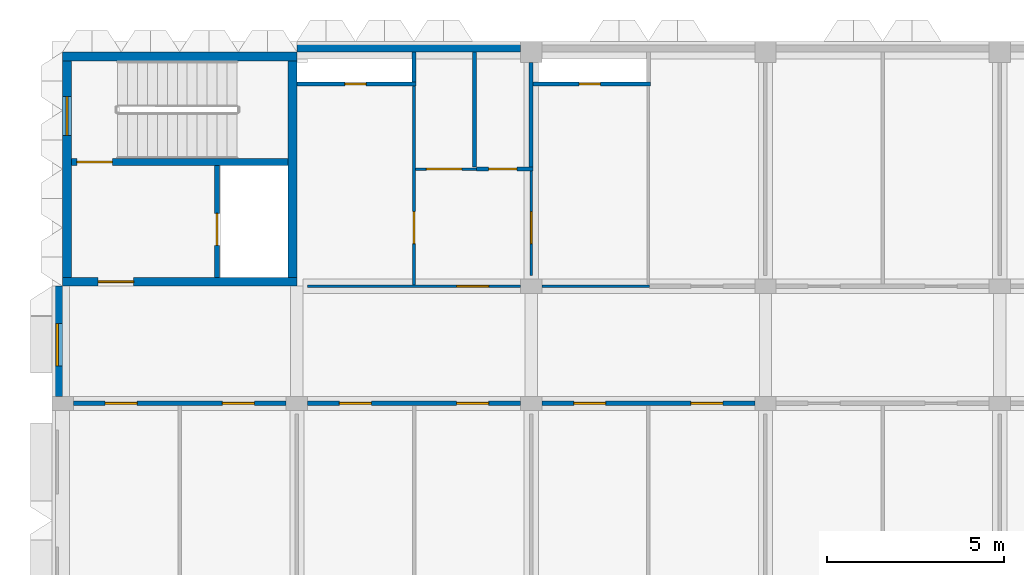
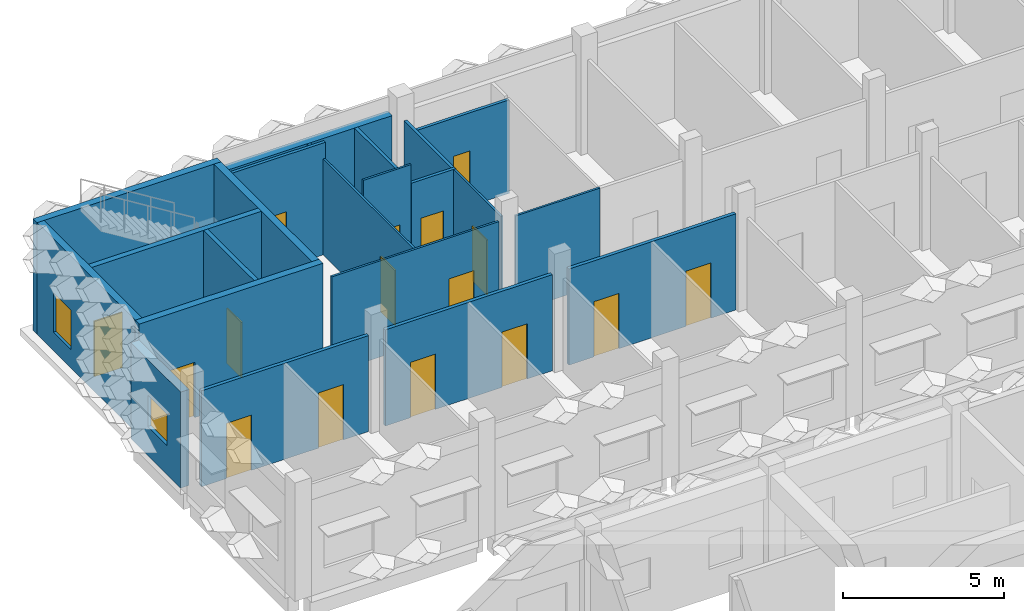
# One storey, part 36 of 87: 22 walls, 16 doors, 2 windows, 18 openings.
"""IFC4 building model written with IfcOpenShell, lengths in metres."""

from ifc_helpers import new_model, si_unit, direction, frame, frame_2d, origin, place, context, subcontext, project, spatial, rectangle, extrude, material, layer, layer_set, type_object, element, fill, save


model = new_model("IFC4")

# Units and contexts
model_context = context("Model", 3, precision=1e-05, world=origin(), true_north=direction((0.0, 1.0)))
body_context = subcontext(model_context, "Body", "Model", "MODEL_VIEW")
ifc_project = project(units=[si_unit("LENGTHUNIT", "METRE"), si_unit("AREAUNIT", "SQUARE_METRE"), si_unit("VOLUMEUNIT", "CUBIC_METRE"), si_unit("PLANEANGLEUNIT", "RADIAN"), si_unit("MASSUNIT", "GRAM", prefix="KILO")], contexts=[model_context])

# Site, building, storey
site_placement = place(None, origin())
site = spatial("IfcSite", under=ifc_project, at=site_placement, CompositionType="ELEMENT")
building_placement = place(site_placement, origin())
building = spatial("IfcBuilding", under=site, at=building_placement, Name="Lantern Court Research Institute", CompositionType="ELEMENT")
storey_placement = place(building_placement, frame((0.0, 0.0, 5.39990234375)))
storey = spatial("IfcBuildingStorey", under=building, at=storey_placement, Name="L01", CompositionType="ELEMENT", Elevation=5.39990234375)

# Wall, opening, window
ifc_material_1 = material(Name="Concrete C30/37", Category="concrete")
ifc_layer_1 = layer(ifc_material_1, 0.300048828125)
ifc_layer_set_1 = layer_set([ifc_layer_1], Name="Concrete C30/37")
wall_type_1 = type_object("IfcWallType", Name="Insulated concrete infill wall 300", PredefinedType="STANDARD", material=ifc_layer_set_1)
wall_1_placement = place(storey_placement, frame((-0.14990234375, 89.300048828125, 0.0), z_axis=(0.0, 0.0, 1.0), x_axis=(0.0, 1.0, 0.0)))
wall_1 = element("IfcWall", 1, at=wall_1_placement, inside=storey, type_object=wall_type_1, Name="Exterior wall EW130", PredefinedType="STANDARD", context=body_context, shape_type="SweptSolid", body=[
    extrude(rectangle(XDim=3.099853515625, YDim=0.300048828125, at=frame_2d((1.5498046875, 0.0))), origin(), (0.0, 0.0, 1.0), 3.650146484375),
])
opening_1_placement = place(wall_1_placement, frame((0.85009765625, 0.0, 1.10009765625)))
opening_1 = element("IfcOpeningElement", 2, at=opening_1_placement, cuts=wall_1, Name="Opening W05", PredefinedType="OPENING", context=body_context, shape_type="SweptSolid", body=[
    extrude(rectangle(XDim=1.199951171875, YDim=1.199951171875, at=frame_2d((0.60009765625, 0.60009765625))), frame((0.0, 0.159912109375, 0.0), z_axis=(0.0, -1.0, 0.0), x_axis=(1.0, 0.0, 0.0)), (0.0, 0.0, 1.0), 0.320068359375),
])
ifc_material_2 = material(Name="Aluminium frame with laminated low-emissivity glazing", Category="aluminium")
window_type_1 = type_object("IfcWindowType", Name="Corridor end window 1200 x 1200", PartitioningType="SINGLE_PANEL", PredefinedType="WINDOW", material=ifc_material_2)
window_1_placement = place(opening_1_placement, origin())
window_1 = element("IfcWindow", 3, at=window_1_placement, inside=storey, type_object=window_type_1, Name="Window W05 V6W L01", OverallHeight=1.199951171875, OverallWidth=1.199951171875, PartitioningType="SINGLE_PANEL", PredefinedType="WINDOW", context=body_context, shape_type="SweptSolid", body=[
    extrude(rectangle(XDim=1.199951171875, YDim=1.199951171875, at=frame_2d((0.60009765625, 0.60009765625))), frame((0.0, 0.030029296875, 0.0), z_axis=(0.0, -1.0, 0.0), x_axis=(1.0, 0.0, 0.0)), (0.0, 0.0, 1.0), 0.06005859375),
])
fill(opening_1, window_1)

# Wall
ifc_material_3 = material(Name="Concrete C30/37", Category="concrete")
ifc_layer_2 = layer(ifc_material_3, 0.300048828125)
ifc_layer_set_2 = layer_set([ifc_layer_2], Name="Concrete C30/37")
wall_type_2 = type_object("IfcWallType", Name="Party wall 300 concrete EI 120", PredefinedType="STANDARD", material=ifc_layer_set_2)
wall_2_placement = place(storey_placement, frame((6.60009765625, 99.14990234375, 0.0), z_axis=(0.0, 0.0, 1.0), x_axis=(1.0, 0.0, 0.0)))
element("IfcWall", 4, at=wall_2_placement, inside=storey, type_object=wall_type_2, Name="Exterior wall EW109", PredefinedType="STANDARD", context=body_context, shape_type="SweptSolid", body=[
    extrude(rectangle(XDim=6.2998046875, YDim=0.300048828125, at=frame_2d((3.14990234375, 0.0))), origin(), (0.0, 0.0, 1.0), 3.650146484375),
])

# Wall, openings, doors
ifc_material_4 = material(Name="Gypsum board on metal studs")
ifc_layer_3 = layer(ifc_material_4, 0.125)
ifc_layer_set_3 = layer_set([ifc_layer_3], Name="Gypsum board on metal studs")
wall_type_3 = type_object("IfcWallType", Name="Protected corridor partition 125 mm EI 30", PredefinedType="PARTITIONING", material=ifc_layer_set_3)
wall_3_placement = place(storey_placement, frame((6.300048828125, 89.10009765625, 0.0), z_axis=(0.0, 0.0, 1.0), x_axis=(-1.0, 0.0, 0.0)))
wall_3 = element("IfcWall", 5, at=wall_3_placement, inside=storey, type_object=wall_type_3, Name="Wall V6-L01-001", PredefinedType="PARTITIONING", context=body_context, shape_type="SweptSolid", body=[
    extrude(rectangle(XDim=6.0, YDim=0.125, at=frame_2d((3.0, 0.0))), origin(), (0.0, 0.0, 1.0), 3.650146484375),
])
opening_2_placement = place(wall_3_placement, frame((4.199951171875, 0.0, 0.0)))
opening_2 = element("IfcOpeningElement", 6, at=opening_2_placement, cuts=wall_3, Name="Opening D6101", PredefinedType="OPENING", context=body_context, shape_type="SweptSolid", body=[
    extrude(rectangle(XDim=0.89990234375, YDim=2.10009765625, at=frame_2d((0.449951171875, 1.050048828125))), frame((0.0, 0.072509765625, 0.0), z_axis=(0.0, -1.0, 0.0), x_axis=(1.0, 0.0, 0.0)), (0.0, 0.0, 1.0), 0.14501953125),
])
opening_3_placement = place(wall_3_placement, frame((0.89990234375, 0.0, 0.0)))
opening_3 = element("IfcOpeningElement", 7, at=opening_3_placement, cuts=wall_3, Name="Opening D6102", PredefinedType="OPENING", context=body_context, shape_type="SweptSolid", body=[
    extrude(rectangle(XDim=0.89990234375, YDim=2.10009765625, at=frame_2d((0.449951171875, 1.050048828125))), frame((0.0, 0.072509765625, 0.0), z_axis=(0.0, -1.0, 0.0), x_axis=(1.0, 0.0, 0.0)), (0.0, 0.0, 1.0), 0.14501953125),
])
ifc_material_5 = material(Name="Timber veneered door leaf", Category="wood")
door_type_1 = type_object("IfcDoorType", Name="Door 900 x 2100 timber FD30S", OperationType="NOTDEFINED", PredefinedType="DOOR", material=ifc_material_5)
door_1_placement = place(opening_2_placement, origin())
door_1 = element("IfcDoor", 8, at=door_1_placement, inside=storey, type_object=door_type_1, Name="Door D6101", OperationType="SINGLE_SWING_RIGHT", OverallHeight=2.10009765625, OverallWidth=0.89990234375, PredefinedType="DOOR", context=body_context, shape_type="SweptSolid", body=[
    extrude(rectangle(XDim=0.89990234375, YDim=2.10009765625, at=frame_2d((0.449951171875, 1.050048828125))), frame((0.0, 0.02490234375, 0.0), z_axis=(0.0, -1.0, 0.0), x_axis=(1.0, 0.0, 0.0)), (0.0, 0.0, 1.0), 0.050048828125),
])
fill(opening_2, door_1)
door_2_placement = place(opening_3_placement, origin())
door_2 = element("IfcDoor", 9, at=door_2_placement, inside=storey, type_object=door_type_1, Name="Door D6102", OperationType="SINGLE_SWING_LEFT", OverallHeight=2.10009765625, OverallWidth=0.89990234375, PredefinedType="DOOR", context=body_context, shape_type="SweptSolid", body=[
    extrude(rectangle(XDim=0.89990234375, YDim=2.10009765625, at=frame_2d((0.449951171875, 1.050048828125))), frame((0.0, 0.02490234375, 0.0), z_axis=(0.0, -1.0, 0.0), x_axis=(1.0, 0.0, 0.0)), (0.0, 0.0, 1.0), 0.050048828125),
])
fill(opening_3, door_2)

wall_4_placement = place(storey_placement, frame((12.89990234375, 89.10009765625, 0.0), z_axis=(0.0, 0.0, 1.0), x_axis=(-1.0, 0.0, 0.0)))
wall_4 = element("IfcWall", 10, at=wall_4_placement, inside=storey, type_object=wall_type_3, Name="Wall V6-L01-002", PredefinedType="PARTITIONING", context=body_context, shape_type="SweptSolid", body=[
    extrude(rectangle(XDim=6.0, YDim=0.125, at=frame_2d((3.0, 0.0))), origin(), (0.0, 0.0, 1.0), 3.650146484375),
])
opening_4_placement = place(wall_4_placement, frame((4.199951171875, 0.0, 0.0)))
opening_4 = element("IfcOpeningElement", 11, at=opening_4_placement, cuts=wall_4, Name="Opening D6103", PredefinedType="OPENING", context=body_context, shape_type="SweptSolid", body=[
    extrude(rectangle(XDim=0.89990234375, YDim=2.10009765625, at=frame_2d((0.449951171875, 1.050048828125))), frame((0.0, 0.072509765625, 0.0), z_axis=(0.0, -1.0, 0.0), x_axis=(1.0, 0.0, 0.0)), (0.0, 0.0, 1.0), 0.14501953125),
])
opening_5_placement = place(wall_4_placement, frame((0.89990234375, 0.0, 0.0)))
opening_5 = element("IfcOpeningElement", 12, at=opening_5_placement, cuts=wall_4, Name="Opening D6104", PredefinedType="OPENING", context=body_context, shape_type="SweptSolid", body=[
    extrude(rectangle(XDim=0.89990234375, YDim=2.10009765625, at=frame_2d((0.449951171875, 1.050048828125))), frame((0.0, 0.072509765625, 0.0), z_axis=(0.0, -1.0, 0.0), x_axis=(1.0, 0.0, 0.0)), (0.0, 0.0, 1.0), 0.14501953125),
])
door_3_placement = place(opening_4_placement, origin())
door_3 = element("IfcDoor", 13, at=door_3_placement, inside=storey, type_object=door_type_1, Name="Door D6103", OperationType="SINGLE_SWING_RIGHT", OverallHeight=2.10009765625, OverallWidth=0.89990234375, PredefinedType="DOOR", context=body_context, shape_type="SweptSolid", body=[
    extrude(rectangle(XDim=0.89990234375, YDim=2.10009765625, at=frame_2d((0.449951171875, 1.050048828125))), frame((0.0, 0.02490234375, 0.0), z_axis=(0.0, -1.0, 0.0), x_axis=(1.0, 0.0, 0.0)), (0.0, 0.0, 1.0), 0.050048828125),
])
fill(opening_4, door_3)
door_4_placement = place(opening_5_placement, origin())
door_4 = element("IfcDoor", 14, at=door_4_placement, inside=storey, type_object=door_type_1, Name="Door D6104", OperationType="SINGLE_SWING_LEFT", OverallHeight=2.10009765625, OverallWidth=0.89990234375, PredefinedType="DOOR", context=body_context, shape_type="SweptSolid", body=[
    extrude(rectangle(XDim=0.89990234375, YDim=2.10009765625, at=frame_2d((0.449951171875, 1.050048828125))), frame((0.0, 0.02490234375, 0.0), z_axis=(0.0, -1.0, 0.0), x_axis=(1.0, 0.0, 0.0)), (0.0, 0.0, 1.0), 0.050048828125),
])
fill(opening_5, door_4)

wall_5_placement = place(storey_placement, frame((19.5, 89.10009765625, 0.0), z_axis=(0.0, 0.0, 1.0), x_axis=(-1.0, 0.0, 0.0)))
wall_5 = element("IfcWall", 15, at=wall_5_placement, inside=storey, type_object=wall_type_3, Name="Wall V6-L01-003", PredefinedType="PARTITIONING", context=body_context, shape_type="SweptSolid", body=[
    extrude(rectangle(XDim=6.0, YDim=0.125, at=frame_2d((3.0, 0.0))), origin(), (0.0, 0.0, 1.0), 3.650146484375),
])
opening_6_placement = place(wall_5_placement, frame((4.199951171875, 0.0, 0.0)))
opening_6 = element("IfcOpeningElement", 16, at=opening_6_placement, cuts=wall_5, Name="Opening D6105", PredefinedType="OPENING", context=body_context, shape_type="SweptSolid", body=[
    extrude(rectangle(XDim=0.89990234375, YDim=2.10009765625, at=frame_2d((0.449951171875, 1.050048828125))), frame((0.0, 0.072509765625, 0.0), z_axis=(0.0, -1.0, 0.0), x_axis=(1.0, 0.0, 0.0)), (0.0, 0.0, 1.0), 0.14501953125),
])
opening_7_placement = place(wall_5_placement, frame((0.89990234375, 0.0, 0.0)))
opening_7 = element("IfcOpeningElement", 17, at=opening_7_placement, cuts=wall_5, Name="Opening D6106", PredefinedType="OPENING", context=body_context, shape_type="SweptSolid", body=[
    extrude(rectangle(XDim=0.89990234375, YDim=2.10009765625, at=frame_2d((0.449951171875, 1.050048828125))), frame((0.0, 0.072509765625, 0.0), z_axis=(0.0, -1.0, 0.0), x_axis=(1.0, 0.0, 0.0)), (0.0, 0.0, 1.0), 0.14501953125),
])
door_5_placement = place(opening_6_placement, origin())
door_5 = element("IfcDoor", 18, at=door_5_placement, inside=storey, type_object=door_type_1, Name="Door D6105", OperationType="SINGLE_SWING_RIGHT", OverallHeight=2.10009765625, OverallWidth=0.89990234375, PredefinedType="DOOR", context=body_context, shape_type="SweptSolid", body=[
    extrude(rectangle(XDim=0.89990234375, YDim=2.10009765625, at=frame_2d((0.449951171875, 1.050048828125))), frame((0.0, 0.02490234375, 0.0), z_axis=(0.0, -1.0, 0.0), x_axis=(1.0, 0.0, 0.0)), (0.0, 0.0, 1.0), 0.050048828125),
])
fill(opening_6, door_5)
door_6_placement = place(opening_7_placement, origin())
door_6 = element("IfcDoor", 19, at=door_6_placement, inside=storey, type_object=door_type_1, Name="Door D6106", OperationType="SINGLE_SWING_RIGHT", OverallHeight=2.10009765625, OverallWidth=0.89990234375, PredefinedType="DOOR", context=body_context, shape_type="SweptSolid", body=[
    extrude(rectangle(XDim=0.89990234375, YDim=2.10009765625, at=frame_2d((0.449951171875, 1.050048828125))), frame((0.0, 0.02490234375, 0.0), z_axis=(0.0, -1.0, 0.0), x_axis=(1.0, 0.0, 0.0)), (0.0, 0.0, 1.0), 0.050048828125),
])
fill(opening_7, door_6)

# Wall, opening, door
ifc_material_6 = material(Name="Concrete C40/50", Category="concrete")
ifc_layer_4 = layer(ifc_material_6, 0.25)
ifc_layer_set_4 = layer_set([ifc_layer_4], Name="Concrete C40/50")
wall_type_4 = type_object("IfcWallType", Name="RC core wall 250", PredefinedType="SHEAR", material=ifc_layer_set_4)
wall_6_placement = place(storey_placement, frame((0.0, 92.52490234375, 0.0), z_axis=(0.0, 0.0, 1.0), x_axis=(1.0, 0.0, 0.0)))
wall_6 = element("IfcWall", 20, at=wall_6_placement, inside=storey, type_object=wall_type_4, Name="South wall of core WC-W", PredefinedType="SHEAR", context=body_context, shape_type="SweptSolid", body=[
    extrude(rectangle(XDim=6.60009765625, YDim=0.25, at=frame_2d((3.300048828125, 0.0))), origin(), (0.0, 0.0, 1.0), 4.25),
])
opening_8_placement = place(wall_6_placement, frame((1.0, 0.0, 0.0)))
opening_8 = element("IfcOpeningElement", 21, at=opening_8_placement, cuts=wall_6, Name="Opening D7205", PredefinedType="OPENING", context=body_context, shape_type="SweptSolid", body=[
    extrude(rectangle(XDim=1.0, YDim=2.10009765625, at=frame_2d((0.5, 1.050048828125))), frame((0.0, 0.135009765625, 0.0), z_axis=(0.0, -1.0, 0.0), x_axis=(1.0, 0.0, 0.0)), (0.0, 0.0, 1.0), 0.27001953125),
])
ifc_material_7 = material(Name="Steel fire door leaf with smoke seals", Category="steel")
door_type_2 = type_object("IfcDoorType", Name="Door 1000 x 2100 fire rated FD60S", OperationType="NOTDEFINED", PredefinedType="DOOR", material=ifc_material_7)
door_7_placement = place(opening_8_placement, origin())
door_7 = element("IfcDoor", 22, at=door_7_placement, inside=storey, type_object=door_type_2, Name="Lobby door", OperationType="SINGLE_SWING_RIGHT", OverallHeight=2.10009765625, OverallWidth=1.0, PredefinedType="DOOR", context=body_context, shape_type="SweptSolid", body=[
    extrude(rectangle(XDim=1.0, YDim=2.10009765625, at=frame_2d((0.5, 1.050048828125))), frame((0.0, 0.02490234375, 0.0), z_axis=(0.0, -1.0, 0.0), x_axis=(1.0, 0.0, 0.0)), (0.0, 0.0, 1.0), 0.050048828125),
])
fill(opening_8, door_7)

# Walls
wall_7_placement = place(storey_placement, frame((6.47509765625, 92.64990234375, 0.0), z_axis=(0.0, 0.0, 1.0), x_axis=(0.0, 1.0, 0.0)))
element("IfcWall", 23, at=wall_7_placement, inside=storey, type_object=wall_type_4, Name="East wall of core WC-W", PredefinedType="SHEAR", context=body_context, shape_type="SweptSolid", body=[
    extrude(rectangle(XDim=6.10009765625, YDim=0.25, at=frame_2d((3.050048828125, 0.0))), origin(), (0.0, 0.0, 1.0), 4.25),
])
ifc_material_8 = material(Name="Concrete C40/50", Category="concrete")
ifc_layer_5 = layer(ifc_material_8, 0.25)
ifc_layer_set_5 = layer_set([ifc_layer_5], Name="Concrete C40/50")
wall_type_5 = type_object("IfcWallType", Name="RC core wall 250 facade", PredefinedType="SHEAR", material=ifc_layer_set_5)
wall_8_placement = place(storey_placement, frame((0.0, 98.875, 0.0), z_axis=(0.0, 0.0, 1.0), x_axis=(1.0, 0.0, 0.0)))
element("IfcWall", 24, at=wall_8_placement, inside=storey, type_object=wall_type_5, Name="North wall of core WC-W", PredefinedType="SHEAR", context=body_context, shape_type="SweptSolid", body=[
    extrude(rectangle(XDim=6.60009765625, YDim=0.25, at=frame_2d((3.300048828125, 0.0))), origin(), (0.0, 0.0, 1.0), 4.25),
])

# Wall, opening, window
wall_9_placement = place(storey_placement, frame((0.125, 92.64990234375, 0.0), z_axis=(0.0, 0.0, 1.0), x_axis=(0.0, 1.0, 0.0)))
wall_9 = element("IfcWall", 25, at=wall_9_placement, inside=storey, type_object=wall_type_5, Name="West wall of core WC-W", PredefinedType="SHEAR", context=body_context, shape_type="SweptSolid", body=[
    extrude(rectangle(XDim=6.10009765625, YDim=0.25, at=frame_2d((3.050048828125, 0.0))), origin(), (0.0, 0.0, 1.0), 4.25),
])
opening_9_placement = place(wall_9_placement, frame((4.0, 0.0, 0.699951171875)))
opening_9 = element("IfcOpeningElement", 26, at=opening_9_placement, cuts=wall_9, Name="Opening W5", PredefinedType="OPENING", context=body_context, shape_type="SweptSolid", body=[
    extrude(rectangle(XDim=1.10009765625, YDim=1.5, at=frame_2d((0.550048828125, 0.75))), frame((0.0, 0.135009765625, 0.0), z_axis=(0.0, -1.0, 0.0), x_axis=(1.0, 0.0, 0.0)), (0.0, 0.0, 1.0), 0.27001953125),
])
ifc_material_9 = material(Name="Aluminium alloy 6063-T6 frame with laminated glass", Category="aluminium")
window_type_2 = type_object("IfcWindowType", Name="Stair window 1100 x 1500", PartitioningType="SINGLE_PANEL", PredefinedType="WINDOW", material=ifc_material_9)
window_2_placement = place(opening_9_placement, origin())
window_2 = element("IfcWindow", 27, at=window_2_placement, inside=storey, type_object=window_type_2, Name="Stair window", OverallHeight=1.5, OverallWidth=1.10009765625, PartitioningType="SINGLE_PANEL", PredefinedType="WINDOW", context=body_context, shape_type="SweptSolid", body=[
    extrude(rectangle(XDim=1.10009765625, YDim=1.5, at=frame_2d((0.550048828125, 0.75))), frame((0.0, 0.030029296875, 0.0), z_axis=(0.0, -1.0, 0.0), x_axis=(1.0, 0.0, 0.0)), (0.0, 0.0, 1.0), 0.06005859375),
])
fill(opening_9, window_2)

# Wall, opening, door
ifc_material_10 = material(Name="Concrete C40/50", Category="concrete")
ifc_layer_6 = layer(ifc_material_10, 0.14990234375)
ifc_layer_set_6 = layer_set([ifc_layer_6], Name="Concrete C40/50")
wall_type_6 = type_object("IfcWallType", Name="RC shaft wall 150", PredefinedType="SHEAR", material=ifc_layer_set_6)
wall_10_placement = place(storey_placement, frame((4.35009765625, 92.64990234375, 0.0), z_axis=(0.0, 0.0, 1.0), x_axis=(0.0, 1.0, 0.0)))
wall_10 = element("IfcWall", 28, at=wall_10_placement, inside=storey, type_object=wall_type_6, Name="Riser wall of core WC-W", PredefinedType="SHEAR", context=body_context, shape_type="SweptSolid", body=[
    extrude(rectangle(XDim=3.150146484375, YDim=0.14990234375, at=frame_2d((1.5751953125, 0.0))), origin(), (0.0, 0.0, 1.0), 4.25),
])
opening_10_placement = place(wall_10_placement, frame((0.89990234375, 0.0, 0.0)))
opening_10 = element("IfcOpeningElement", 29, at=opening_10_placement, cuts=wall_10, Name="Opening D7204", PredefinedType="OPENING", context=body_context, shape_type="SweptSolid", body=[
    extrude(rectangle(XDim=0.89990234375, YDim=2.10009765625, at=frame_2d((0.449951171875, 1.050048828125))), frame((0.0, 0.0849609375, 0.0), z_axis=(0.0, -1.0, 0.0), x_axis=(1.0, 0.0, 0.0)), (0.0, 0.0, 1.0), 0.169921875),
])
ifc_material_11 = material(Name="Steel fire door leaf", Category="steel")
door_type_3 = type_object("IfcDoorType", Name="Door 900 x 2100 fire rated FD60", OperationType="NOTDEFINED", PredefinedType="DOOR", material=ifc_material_11)
door_8_placement = place(opening_10_placement, origin())
door_8 = element("IfcDoor", 30, at=door_8_placement, inside=storey, type_object=door_type_3, Name="Riser door", OperationType="SINGLE_SWING_RIGHT", OverallHeight=2.10009765625, OverallWidth=0.89990234375, PredefinedType="DOOR", context=body_context, shape_type="SweptSolid", body=[
    extrude(rectangle(XDim=0.89990234375, YDim=2.10009765625, at=frame_2d((0.449951171875, 1.050048828125))), frame((0.0, 0.02490234375, 0.0), z_axis=(0.0, -1.0, 0.0), x_axis=(1.0, 0.0, 0.0)), (0.0, 0.0, 1.0), 0.050048828125),
])
fill(opening_10, door_8)

ifc_material_12 = material(Name="Concrete C40/50", Category="concrete")
ifc_layer_7 = layer(ifc_material_12, 0.199951171875)
ifc_layer_set_7 = layer_set([ifc_layer_7], Name="Concrete C40/50")
wall_type_7 = type_object("IfcWallType", Name="RC shaft wall 200", PredefinedType="SHEAR", material=ifc_layer_set_7)
wall_11_placement = place(storey_placement, frame((0.25, 95.89990234375, 0.0), z_axis=(0.0, 0.0, 1.0), x_axis=(1.0, 0.0, 0.0)))
wall_11 = element("IfcWall", 31, at=wall_11_placement, inside=storey, type_object=wall_type_7, Name="Stair wall of core WC-W", PredefinedType="SHEAR", context=body_context, shape_type="SweptSolid", body=[
    extrude(rectangle(XDim=6.10009765625, YDim=0.199951171875, at=frame_2d((3.050048828125, 0.0))), origin(), (0.0, 0.0, 1.0), 4.25),
])
opening_11_placement = place(wall_11_placement, frame((0.14990234375, 0.0, 0.0)))
opening_11 = element("IfcOpeningElement", 32, at=opening_11_placement, cuts=wall_11, Name="Opening D7206", PredefinedType="OPENING", context=body_context, shape_type="SweptSolid", body=[
    extrude(rectangle(XDim=1.0, YDim=2.10009765625, at=frame_2d((0.5, 1.050048828125))), frame((0.0, 0.10986328125, 0.0), z_axis=(0.0, -1.0, 0.0), x_axis=(1.0, 0.0, 0.0)), (0.0, 0.0, 1.0), 0.219970703125),
])
door_9_placement = place(opening_11_placement, origin())
door_9 = element("IfcDoor", 33, at=door_9_placement, inside=storey, type_object=door_type_2, Name="Stair door", OperationType="SINGLE_SWING_RIGHT", OverallHeight=2.10009765625, OverallWidth=1.0, PredefinedType="DOOR", context=body_context, shape_type="SweptSolid", body=[
    extrude(rectangle(XDim=1.0, YDim=2.10009765625, at=frame_2d((0.5, 1.050048828125))), frame((0.0, 0.02490234375, 0.0), z_axis=(0.0, -1.0, 0.0), x_axis=(1.0, 0.0, 0.0)), (0.0, 0.0, 1.0), 0.050048828125),
])
fill(opening_11, door_9)

ifc_material_13 = material(Name="Fire-rated gypsum board on metal studs")
ifc_layer_8 = layer(ifc_material_13, 0.110107421875)
ifc_layer_set_8 = layer_set([ifc_layer_8], Name="Fire-rated gypsum board on metal studs")
wall_type_8 = type_object("IfcWallType", Name="Riser wall 110 mm EI 60", PredefinedType="PARTITIONING", material=ifc_layer_set_8)
wall_12_placement = place(storey_placement, frame((11.655029296875, 95.699951171875, 0.0), z_axis=(0.0, 0.0, 1.0), x_axis=(1.0, 0.0, 0.0)))
wall_12 = element("IfcWall", 34, at=wall_12_placement, inside=storey, type_object=wall_type_8, Name="Wall V6-L01-024", PredefinedType="PARTITIONING", context=body_context, shape_type="SweptSolid", body=[
    extrude(rectangle(XDim=1.599853515625, YDim=0.110107421875, at=frame_2d((0.7998046875, 0.0))), origin(), (0.0, 0.0, 1.0), 3.550048828125),
])
opening_12_placement = place(wall_12_placement, frame((0.344970703125, 0.0, 0.0)))
opening_12 = element("IfcOpeningElement", 35, at=opening_12_placement, cuts=wall_12, Name="Opening D6135", PredefinedType="OPENING", context=body_context, shape_type="SweptSolid", body=[
    extrude(rectangle(XDim=0.800048828125, YDim=2.10009765625, at=frame_2d((0.39990234375, 1.050048828125))), frame((0.0, 0.06494140625, 0.0), z_axis=(0.0, -1.0, 0.0), x_axis=(1.0, 0.0, 0.0)), (0.0, 0.0, 1.0), 0.130126953125),
])
ifc_material_14 = material(Name="Coated metal door leaf")
door_type_4 = type_object("IfcDoorType", Name="Door 800 x 2100 cleaners store FD60", OperationType="NOTDEFINED", PredefinedType="DOOR", material=ifc_material_14)
door_10_placement = place(opening_12_placement, origin())
door_10 = element("IfcDoor", 36, at=door_10_placement, inside=storey, type_object=door_type_4, Name="Door D6135", OperationType="SINGLE_SWING_RIGHT", OverallHeight=2.10009765625, OverallWidth=0.800048828125, PredefinedType="DOOR", context=body_context, shape_type="SweptSolid", body=[
    extrude(rectangle(XDim=0.800048828125, YDim=2.10009765625, at=frame_2d((0.39990234375, 1.050048828125))), frame((0.0, 0.02490234375, 0.0), z_axis=(0.0, -1.0, 0.0), x_axis=(1.0, 0.0, 0.0)), (0.0, 0.0, 1.0), 0.050048828125),
])
fill(opening_12, door_10)

wall_13_placement = place(storey_placement, frame((9.955078125, 98.10009765625, 0.0), z_axis=(0.0, 0.0, 1.0), x_axis=(-1.0, 0.0, 0.0)))
wall_13 = element("IfcWall", 37, at=wall_13_placement, inside=storey, type_object=wall_type_8, Name="Wall V6-L01-027", PredefinedType="PARTITIONING", context=body_context, shape_type="SweptSolid", body=[
    extrude(rectangle(XDim=3.35498046875, YDim=0.110107421875, at=frame_2d((1.677490234375, 0.0))), origin(), (0.0, 0.0, 1.0), 4.25),
])
opening_13_placement = place(wall_13_placement, frame((1.405029296875, 0.0, 0.0)))
opening_13 = element("IfcOpeningElement", 38, at=opening_13_placement, cuts=wall_13, Name="Opening D6138", PredefinedType="OPENING", context=body_context, shape_type="SweptSolid", body=[
    extrude(rectangle(XDim=0.60009765625, YDim=2.10009765625, at=frame_2d((0.300048828125, 1.050048828125))), frame((0.0, 0.06494140625, 0.0), z_axis=(0.0, -1.0, 0.0), x_axis=(1.0, 0.0, 0.0)), (0.0, 0.0, 1.0), 0.130126953125),
])
ifc_material_15 = material(Name="Coated metal door leaf")
door_type_5 = type_object("IfcDoorType", Name="Door 600 x 2100 riser FD60", OperationType="NOTDEFINED", PredefinedType="DOOR", material=ifc_material_15)
door_11_placement = place(opening_13_placement, origin())
door_11 = element("IfcDoor", 39, at=door_11_placement, inside=storey, type_object=door_type_5, Name="Door D6138", OperationType="SINGLE_SWING_RIGHT", OverallHeight=2.10009765625, OverallWidth=0.60009765625, PredefinedType="DOOR", context=body_context, shape_type="SweptSolid", body=[
    extrude(rectangle(XDim=0.60009765625, YDim=2.10009765625, at=frame_2d((0.300048828125, 1.050048828125))), frame((0.0, 0.02490234375, 0.0), z_axis=(0.0, -1.0, 0.0), x_axis=(1.0, 0.0, 0.0)), (0.0, 0.0, 1.0), 0.050048828125),
])
fill(opening_13, door_11)

wall_14_placement = place(storey_placement, frame((16.554931640625, 98.10009765625, 0.0), z_axis=(0.0, 0.0, 1.0), x_axis=(-1.0, 0.0, 0.0)))
wall_14 = element("IfcWall", 40, at=wall_14_placement, inside=storey, type_object=wall_type_8, Name="Wall V6-L01-028", PredefinedType="PARTITIONING", context=body_context, shape_type="SweptSolid", body=[
    extrude(rectangle(XDim=3.300048828125, YDim=0.110107421875, at=frame_2d((1.64990234375, 0.0))), origin(), (0.0, 0.0, 1.0), 3.550048828125),
])
opening_14_placement = place(wall_14_placement, frame((1.405029296875, 0.0, 0.0)))
opening_14 = element("IfcOpeningElement", 41, at=opening_14_placement, cuts=wall_14, Name="Opening D6139", PredefinedType="OPENING", context=body_context, shape_type="SweptSolid", body=[
    extrude(rectangle(XDim=0.60009765625, YDim=2.10009765625, at=frame_2d((0.300048828125, 1.050048828125))), frame((0.0, 0.06494140625, 0.0), z_axis=(0.0, -1.0, 0.0), x_axis=(1.0, 0.0, 0.0)), (0.0, 0.0, 1.0), 0.130126953125),
])
door_12_placement = place(opening_14_placement, origin())
door_12 = element("IfcDoor", 42, at=door_12_placement, inside=storey, type_object=door_type_5, Name="Door D6139", OperationType="SINGLE_SWING_RIGHT", OverallHeight=2.10009765625, OverallWidth=0.60009765625, PredefinedType="DOOR", context=body_context, shape_type="SweptSolid", body=[
    extrude(rectangle(XDim=0.60009765625, YDim=2.10009765625, at=frame_2d((0.300048828125, 1.050048828125))), frame((0.0, 0.02490234375, 0.0), z_axis=(0.0, -1.0, 0.0), x_axis=(1.0, 0.0, 0.0)), (0.0, 0.0, 1.0), 0.050048828125),
])
fill(opening_14, door_12)

# Walls
wall_15_placement = place(storey_placement, frame((9.89990234375, 98.155029296875, 0.0), z_axis=(0.0, 0.0, 1.0), x_axis=(0.0, 1.0, 0.0)))
element("IfcWall", 43, at=wall_15_placement, inside=storey, type_object=wall_type_8, Name="Wall V6-L01-035", PredefinedType="PARTITIONING", context=body_context, shape_type="SweptSolid", body=[
    extrude(rectangle(XDim=0.844970703125, YDim=0.110107421875, at=frame_2d((0.42236328125, 0.0))), origin(), (0.0, 0.0, 1.0), 3.650146484375),
])
wall_16_placement = place(storey_placement, frame((11.60009765625, 95.7548828125, 0.0), z_axis=(0.0, 0.0, 1.0), x_axis=(0.0, 1.0, 0.0)))
element("IfcWall", 44, at=wall_16_placement, inside=storey, type_object=wall_type_8, Name="Wall V6-L01-036", PredefinedType="PARTITIONING", context=body_context, shape_type="SweptSolid", body=[
    extrude(rectangle(XDim=3.2451171875, YDim=0.110107421875, at=frame_2d((1.62255859375, 0.0))), origin(), (0.0, 0.0, 1.0), 3.650146484375),
])
wall_17_placement = place(storey_placement, frame((13.199951171875, 95.7548828125, 0.0), z_axis=(0.0, 0.0, 1.0), x_axis=(0.0, 1.0, 0.0)))
element("IfcWall", 45, at=wall_17_placement, inside=storey, type_object=wall_type_8, Name="Wall V6-L01-039", PredefinedType="PARTITIONING", context=body_context, shape_type="SweptSolid", body=[
    extrude(rectangle(XDim=2.945068359375, YDim=0.110107421875, at=frame_2d((1.47265625, 0.0))), origin(), (0.0, 0.0, 1.0), 3.550048828125),
])

# Wall, opening, door
ifc_material_16 = material(Name="Gypsum board on metal studs")
ifc_layer_9 = layer(ifc_material_16, 0.074951171875)
ifc_layer_set_9 = layer_set([ifc_layer_9], Name="Gypsum board on metal studs")
wall_type_9 = type_object("IfcWallType", Name="Service partition 75 mm", PredefinedType="PARTITIONING", material=ifc_layer_set_9)
wall_18_placement = place(storey_placement, frame((11.655029296875, 95.699951171875, 0.0), z_axis=(0.0, 0.0, 1.0), x_axis=(-1.0, 0.0, 0.0)))
wall_18 = element("IfcWall", 46, at=wall_18_placement, inside=storey, type_object=wall_type_9, Name="Wall V6-L01-023", PredefinedType="PARTITIONING", context=body_context, shape_type="SweptSolid", body=[
    extrude(rectangle(XDim=1.717041015625, YDim=0.074951171875, at=frame_2d((0.8583984375, 0.0))), origin(), (0.0, 0.0, 1.0), 4.25),
])
opening_15_placement = place(wall_18_placement, frame((0.405029296875, 0.0, 0.0)))
opening_15 = element("IfcOpeningElement", 47, at=opening_15_placement, cuts=wall_18, Name="Opening D6134", PredefinedType="OPENING", context=body_context, shape_type="SweptSolid", body=[
    extrude(rectangle(XDim=1.0, YDim=2.10009765625, at=frame_2d((0.5, 1.050048828125))), frame((0.0, 0.04736328125, 0.0), z_axis=(0.0, -1.0, 0.0), x_axis=(1.0, 0.0, 0.0)), (0.0, 0.0, 1.0), 0.094970703125),
])
ifc_material_17 = material(Name="Timber veneered door leaf", Category="wood")
door_type_6 = type_object("IfcDoorType", Name="Door 1000 x 2100 accessible WC", OperationType="NOTDEFINED", PredefinedType="DOOR", material=ifc_material_17)
door_13_placement = place(opening_15_placement, origin())
door_13 = element("IfcDoor", 48, at=door_13_placement, inside=storey, type_object=door_type_6, Name="Door D6134", OperationType="SINGLE_SWING_RIGHT", OverallHeight=2.10009765625, OverallWidth=1.0, PredefinedType="DOOR", context=body_context, shape_type="SweptSolid", body=[
    extrude(rectangle(XDim=1.0, YDim=2.10009765625, at=frame_2d((0.5, 1.050048828125))), frame((0.0, 0.02490234375, 0.0), z_axis=(0.0, -1.0, 0.0), x_axis=(1.0, 0.0, 0.0)), (0.0, 0.0, 1.0), 0.050048828125),
])
fill(opening_15, door_13)

wall_19_placement = place(storey_placement, frame((9.89990234375, 92.43798828125, 0.0), z_axis=(0.0, 0.0, 1.0), x_axis=(0.0, 1.0, 0.0)))
wall_19 = element("IfcWall", 49, at=wall_19_placement, inside=storey, type_object=wall_type_9, Name="Wall V6-L01-034", PredefinedType="PARTITIONING", context=body_context, shape_type="SweptSolid", body=[
    extrude(rectangle(XDim=5.60693359375, YDim=0.074951171875, at=frame_2d((2.803466796875, 0.0))), origin(), (0.0, 0.0, 1.0), 3.650146484375),
])
opening_16_placement = place(wall_19_placement, frame((1.162109375, 0.0, 0.0)))
opening_16 = element("IfcOpeningElement", 50, at=opening_16_placement, cuts=wall_19, Name="Opening D6142", PredefinedType="OPENING", context=body_context, shape_type="SweptSolid", body=[
    extrude(rectangle(XDim=0.89990234375, YDim=2.10009765625, at=frame_2d((0.449951171875, 1.050048828125))), frame((0.0, 0.04736328125, 0.0), z_axis=(0.0, -1.0, 0.0), x_axis=(1.0, 0.0, 0.0)), (0.0, 0.0, 1.0), 0.094970703125),
])
ifc_material_18 = material(Name="Timber veneered door leaf", Category="wood")
door_type_7 = type_object("IfcDoorType", Name="Door 900 x 2100 WC", OperationType="NOTDEFINED", PredefinedType="DOOR", material=ifc_material_18)
door_14_placement = place(opening_16_placement, origin())
door_14 = element("IfcDoor", 51, at=door_14_placement, inside=storey, type_object=door_type_7, Name="Door D6142", OperationType="SINGLE_SWING_LEFT", OverallHeight=2.10009765625, OverallWidth=0.89990234375, PredefinedType="DOOR", context=body_context, shape_type="SweptSolid", body=[
    extrude(rectangle(XDim=0.89990234375, YDim=2.10009765625, at=frame_2d((0.449951171875, 1.050048828125))), frame((0.0, 0.02490234375, 0.0), z_axis=(0.0, -1.0, 0.0), x_axis=(1.0, 0.0, 0.0)), (0.0, 0.0, 1.0), 0.050048828125),
])
fill(opening_16, door_14)

wall_20_placement = place(storey_placement, frame((13.199951171875, 95.64501953125, 0.0), z_axis=(0.0, 0.0, 1.0), x_axis=(0.0, -1.0, 0.0)))
wall_20 = element("IfcWall", 52, at=wall_20_placement, inside=storey, type_object=wall_type_9, Name="Wall V6-L01-038", PredefinedType="PARTITIONING", context=body_context, shape_type="SweptSolid", body=[
    extrude(rectangle(XDim=2.945068359375, YDim=0.074951171875, at=frame_2d((1.47265625, 0.0))), origin(), (0.0, 0.0, 1.0), 3.550048828125),
])
opening_17_placement = place(wall_20_placement, frame((1.14501953125, 0.0, 0.0)))
opening_17 = element("IfcOpeningElement", 53, at=opening_17_placement, cuts=wall_20, Name="Opening D6143", PredefinedType="OPENING", context=body_context, shape_type="SweptSolid", body=[
    extrude(rectangle(XDim=0.89990234375, YDim=2.10009765625, at=frame_2d((0.449951171875, 1.050048828125))), frame((0.0, 0.04736328125, 0.0), z_axis=(0.0, -1.0, 0.0), x_axis=(1.0, 0.0, 0.0)), (0.0, 0.0, 1.0), 0.094970703125),
])
door_15_placement = place(opening_17_placement, origin())
door_15 = element("IfcDoor", 54, at=door_15_placement, inside=storey, type_object=door_type_7, Name="Door D6143", OperationType="SINGLE_SWING_RIGHT", OverallHeight=2.10009765625, OverallWidth=0.89990234375, PredefinedType="DOOR", context=body_context, shape_type="SweptSolid", body=[
    extrude(rectangle(XDim=0.89990234375, YDim=2.10009765625, at=frame_2d((0.449951171875, 1.050048828125))), frame((0.0, 0.02490234375, 0.0), z_axis=(0.0, -1.0, 0.0), x_axis=(1.0, 0.0, 0.0)), (0.0, 0.0, 1.0), 0.050048828125),
])
fill(opening_17, door_15)

ifc_material_19 = material(Name="Gypsum board on metal studs")
ifc_layer_10 = layer(ifc_material_19, 0.074951171875)
ifc_layer_set_10 = layer_set([ifc_layer_10], Name="Gypsum board on metal studs")
wall_type_10 = type_object("IfcWallType", Name="Service partition 75 mm EI 30", PredefinedType="PARTITIONING", material=ifc_layer_set_10)
wall_21_placement = place(storey_placement, frame((6.89990234375, 92.39990234375, 0.0), z_axis=(0.0, 0.0, 1.0), x_axis=(1.0, 0.0, 0.0)))
wall_21 = element("IfcWall", 55, at=wall_21_placement, inside=storey, type_object=wall_type_10, Name="Wall V6-L01-011", PredefinedType="PARTITIONING", context=body_context, shape_type="SweptSolid", body=[
    extrude(rectangle(XDim=6.0, YDim=0.074951171875, at=frame_2d((3.0, 0.0))), origin(), (0.0, 0.0, 1.0), 3.650146484375),
])
opening_18_placement = place(wall_21_placement, frame((4.199951171875, 0.0, 0.0)))
opening_18 = element("IfcOpeningElement", 56, at=opening_18_placement, cuts=wall_21, Name="Opening D6118", PredefinedType="OPENING", context=body_context, shape_type="SweptSolid", body=[
    extrude(rectangle(XDim=0.89990234375, YDim=2.10009765625, at=frame_2d((0.449951171875, 1.050048828125))), frame((0.0, 0.04736328125, 0.0), z_axis=(0.0, -1.0, 0.0), x_axis=(1.0, 0.0, 0.0)), (0.0, 0.0, 1.0), 0.094970703125),
])
ifc_material_20 = material(Name="Timber veneered door leaf", Category="wood")
door_type_8 = type_object("IfcDoorType", Name="Door 900 x 2100 WC FD30S", OperationType="NOTDEFINED", PredefinedType="DOOR", material=ifc_material_20)
door_16_placement = place(opening_18_placement, origin())
door_16 = element("IfcDoor", 57, at=door_16_placement, inside=storey, type_object=door_type_8, Name="Door D6118", OperationType="SINGLE_SWING_RIGHT", OverallHeight=2.10009765625, OverallWidth=0.89990234375, PredefinedType="DOOR", context=body_context, shape_type="SweptSolid", body=[
    extrude(rectangle(XDim=0.89990234375, YDim=2.10009765625, at=frame_2d((0.449951171875, 1.050048828125))), frame((0.0, 0.02490234375, 0.0), z_axis=(0.0, -1.0, 0.0), x_axis=(1.0, 0.0, 0.0)), (0.0, 0.0, 1.0), 0.050048828125),
])
fill(opening_18, door_16)

# Wall
wall_22_placement = place(storey_placement, frame((13.5, 92.39990234375, 0.0), z_axis=(0.0, 0.0, 1.0), x_axis=(1.0, 0.0, 0.0)))
element("IfcWall", 58, at=wall_22_placement, inside=storey, type_object=wall_type_10, Name="Wall V6-L01-012", PredefinedType="PARTITIONING", context=body_context, shape_type="SweptSolid", body=[
    extrude(rectangle(XDim=3.0380859375, YDim=0.074951171875, at=frame_2d((1.51904296875, 0.0))), origin(), (0.0, 0.0, 1.0), 3.650146484375),
])

save(model, "model.ifc")
